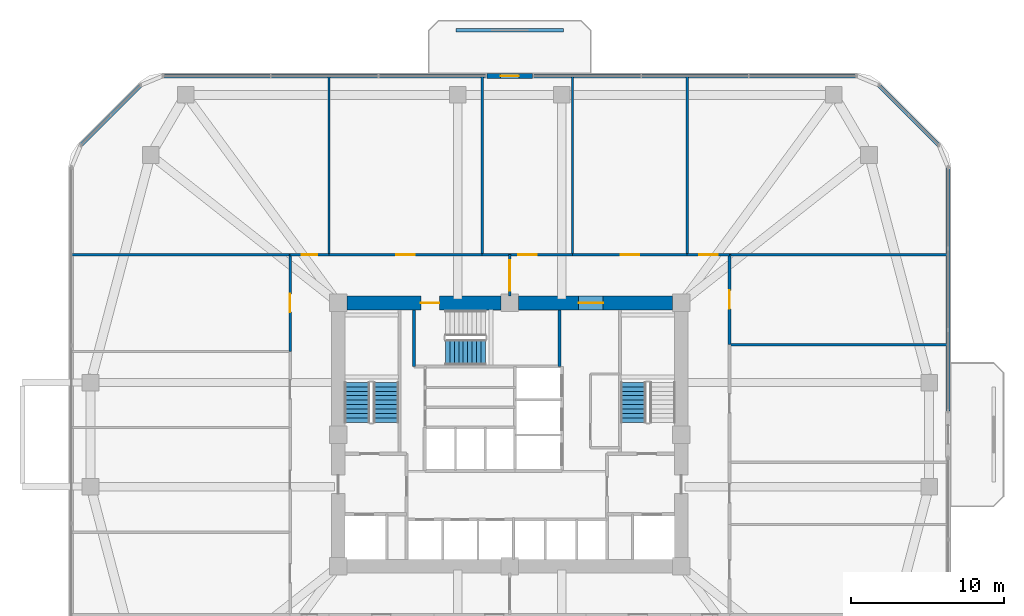
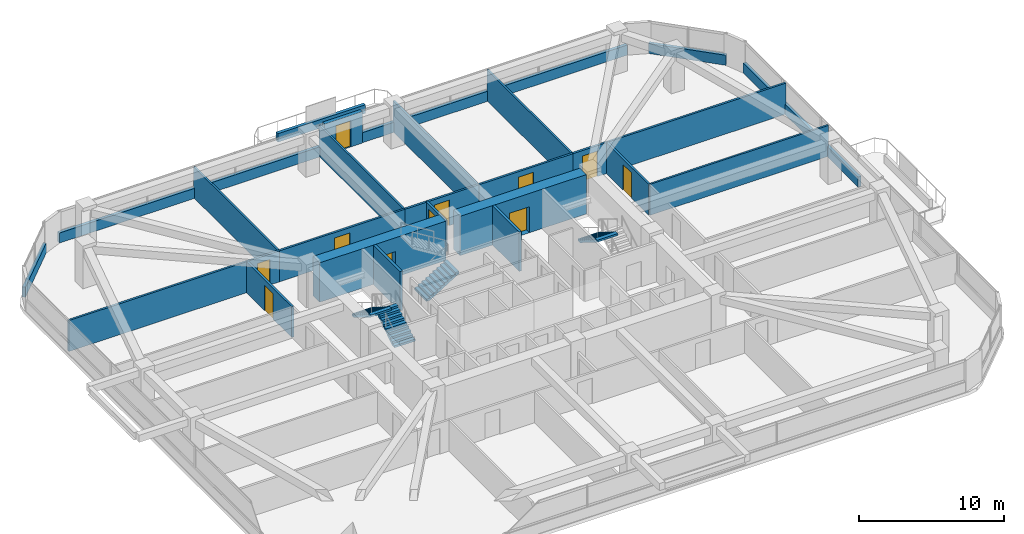
# One storey, part 11 of 14: 26 walls, 11 doors, 4 stair flights, 11 openings, 3 elements without a shape of their own.
"""IFC4 building model written with IfcOpenShell, lengths in metres."""

import ifcopenshell
import ifcopenshell.guid

model = None  # the IFC model being written
_history = None  # IfcOwnerHistory: only IFC2X3 demands one
_inside = {}  # id of a spatial element -> (the spatial element, [elements in it])
_under = {}  # id of a project, library or spatial element -> (it, [spatial elements below it])
_declared = {}  # id of a project -> (the project, [libraries it declares])
_typed = {}  # id of a type object -> (the type object, [elements of that type])
_made_of = {}  # id of a material, layer set ... -> (it, [elements and type objects made of it])


def new_model(schema):
    """Start an empty IFC model of exactly this schema.

    Asked for "IFC4X3", IfcOpenShell would pick the latest addendum, in which some entities
    have other attributes; the version numbers below select the first issue.
    IFC2X3 requires an IfcOwnerHistory on every rooted entity: one is made here for all.
    """
    global model, _history
    if schema == "IFC4X3":
        model = ifcopenshell.file(schema_version=(4, 3, 0, 0))
    else:
        model = ifcopenshell.file(schema=schema)
    _inside.clear()
    _under.clear()
    _declared.clear()
    _typed.clear()
    _made_of.clear()
    _history = None
    if model.schema == "IFC2X3":
        org = make("IfcOrganization", Name="unknown")
        user = make(
            "IfcPersonAndOrganization",
            ThePerson=make("IfcPerson", FamilyName="unknown"),
            TheOrganization=org,
        )
        app = make(
            "IfcApplication",
            ApplicationDeveloper=org,
            Version="unknown",
            ApplicationFullName="unknown",
            ApplicationIdentifier="unknown",
        )
        _history = make(
            "IfcOwnerHistory",
            OwningUser=user,
            OwningApplication=app,
            ChangeAction="ADDED",
            CreationDate=0,
        )
    return model


def make(cls, **values):
    """One entity of the class cls with the attributes given. An attribute that is None is left unset."""
    return model.create_entity(
        cls, **{name: value for name, value in values.items() if value is not None}
    )


def rooted(cls, **values):
    """An entity with a GlobalId (a new one), such as an element, a storey or a relation."""
    return make(cls, GlobalId=ifcopenshell.guid.new(), OwnerHistory=_history, **values)


def si_unit(unit_type, name, prefix=None):
    """IfcSIUnit, for example si_unit("LENGTHUNIT", "METRE", prefix="MILLI")."""
    return make("IfcSIUnit", UnitType=unit_type, Prefix=prefix, Name=name)


def derived_unit(unit_type, elements):
    """IfcDerivedUnit: a product of units, each with its exponent."""
    return make(
        "IfcDerivedUnit",
        Elements=[
            make("IfcDerivedUnitElement", Unit=unit, Exponent=power)
            for unit, power in elements
        ],
        UnitType=unit_type,
    )


def assignment(units):
    """IfcUnitAssignment: the units of a project."""
    return None if units is None else make("IfcUnitAssignment", Units=units)


def point(xyz):
    """IfcCartesianPoint."""
    return None if xyz is None else make("IfcCartesianPoint", Coordinates=xyz)


def direction(xyz):
    """IfcDirection."""
    return None if xyz is None else make("IfcDirection", DirectionRatios=xyz)


def frame(location, z_axis=None, x_axis=None):
    """IfcAxis2Placement3D, a coordinate frame: its origin and axes. An axis left out is left unset."""
    return make(
        "IfcAxis2Placement3D",
        Location=point(location),
        Axis=direction(z_axis),
        RefDirection=direction(x_axis),
    )


def frame_2d(location, x_axis=None):
    """IfcAxis2Placement2D, a coordinate frame in the plane: its origin and x axis."""
    return make(
        "IfcAxis2Placement2D", Location=point(location), RefDirection=direction(x_axis)
    )


def origin():
    """The frame at (0, 0, 0) with its axes left unset."""
    return frame((0.0, 0.0, 0.0))


def place(relative_to, where):
    """IfcLocalPlacement: puts the frame where relative to a parent placement (None: the world)."""
    return make(
        "IfcLocalPlacement", PlacementRelTo=relative_to, RelativePlacement=where
    )


def context(
    kind, dimensions, precision=None, world=None, true_north=None, identifier=None
):
    """IfcGeometricRepresentationContext, for example the 3D "Model" context."""
    return make(
        "IfcGeometricRepresentationContext",
        ContextIdentifier=identifier,
        ContextType=kind,
        CoordinateSpaceDimension=dimensions,
        Precision=precision,
        WorldCoordinateSystem=world,
        TrueNorth=true_north,
    )


def subcontext(parent, identifier, kind, view, scale=None):
    """IfcGeometricRepresentationSubContext, for example "Body" below "Model"."""
    return make(
        "IfcGeometricRepresentationSubContext",
        ContextIdentifier=identifier,
        ContextType=kind,
        ParentContext=parent,
        TargetScale=scale,
        TargetView=view,
    )


def project(units=None, contexts=None):
    """IfcProject with its units and contexts."""
    return rooted(
        "IfcProject",
        Name="project",
        RepresentationContexts=contexts,
        UnitsInContext=assignment(units),
    )


def spatial(cls, under=None, at=None, **own):
    """A site, building, storey or space (cls), placed at a placement, below another one or the project."""
    s = rooted(cls, ObjectPlacement=at, **own)
    if under is not None:
        _under.setdefault(under.id(), (under, []))[1].append(s)
    return s


def polyline(points):
    """IfcPolyline through the points."""
    return make("IfcPolyline", Points=[point(p) for p in points])


def profile(cls, at=None, kind="AREA", **sizes):
    """A parametric profile (cls). Its sizes go by their IFC names, for example OverallWidth=200.0."""
    return make(cls, ProfileType=kind, Position=at, **sizes)


def rectangle(**sizes):
    """IfcRectangleProfileDef."""
    return profile("IfcRectangleProfileDef", **sizes)


def outline(outer, holes=None, kind="AREA"):
    """IfcArbitraryClosedProfileDef: a profile drawn as a closed curve; with holes, ...WithVoids."""
    if holes is None:
        return make("IfcArbitraryClosedProfileDef", ProfileType=kind, OuterCurve=outer)
    return make(
        "IfcArbitraryProfileDefWithVoids",
        ProfileType=kind,
        OuterCurve=outer,
        InnerCurves=holes,
    )


def extrude(swept, where, along, depth):
    """IfcExtrudedAreaSolid: the profile swept, set in the frame where, extruded along a direction by depth."""
    return make(
        "IfcExtrudedAreaSolid",
        SweptArea=swept,
        Position=where,
        ExtrudedDirection=direction(along),
        Depth=depth,
    )


def shape(context_of_items, identifier, shape_type, items):
    """IfcShapeRepresentation: the items that make up one representation, for example the "Body"."""
    return make(
        "IfcShapeRepresentation",
        ContextOfItems=context_of_items,
        RepresentationIdentifier=identifier,
        RepresentationType=shape_type,
        Items=items,
    )


def material(Name=None, Category=None):
    """IfcMaterial."""
    return make("IfcMaterial", Name=Name, Category=Category)


def layer(
    of_material, thickness, ventilated=None, Name=None, Category=None, Priority=None
):
    """IfcMaterialLayer: one layer of a wall or slab, of a material (None: an air gap)."""
    return make(
        "IfcMaterialLayer",
        Material=of_material,
        LayerThickness=thickness,
        IsVentilated=ventilated,
        Name=Name,
        Category=Category,
        Priority=Priority,
    )


def layer_set(layers, Name=None):
    """IfcMaterialLayerSet."""
    return make("IfcMaterialLayerSet", MaterialLayers=layers, LayerSetName=Name)


def made_of(thing, what):
    """Note that an element or type object is made of a material, layer set ...; save() writes the relation."""
    if what is not None:
        _made_of.setdefault(what.id(), (what, []))[1].append(thing)
    return thing


def type_object(cls, material=None, **own):
    """A type object (cls), such as IfcWallType, which elements share."""
    return made_of(rooted(cls, **own), material)


def element(
    cls,
    number,
    at=None,
    inside=None,
    cuts=None,
    type_object=None,
    material=None,
    context=None,
    identifier="Body",
    shape_type=None,
    held_by="IfcProductDefinitionShape",
    body=None,
    shapes=None,
    **own,
):
    """One element of the class cls, such as IfcWall. Its Tag is "e" and its number.

    at: its placement. inside: the storey or other place that contains it. cuts: it is an
    opening in that element (IfcRelVoidsElement). A single representation is given by context,
    identifier, shape_type and body (its items); several are given by shapes. held_by: the class
    of the entity that holds the representations. save() writes the other relations.
    """
    e = rooted(cls, Tag="e%d" % number, ObjectPlacement=at, **own)
    if body is not None:
        shapes = [shape(context, identifier, shape_type, body)]
    if shapes is not None:
        e.Representation = make(held_by, Representations=shapes)
    if inside is not None:
        _inside.setdefault(inside.id(), (inside, []))[1].append(e)
    if cuts is not None:
        rooted(
            "IfcRelVoidsElement", RelatingBuildingElement=cuts, RelatedOpeningElement=e
        )
    if type_object is not None:
        _typed.setdefault(type_object.id(), (type_object, []))[1].append(e)
    return made_of(e, material)


def fill(opening, filler):
    """IfcRelFillsElement: the door or window that sits in an opening."""
    return rooted(
        "IfcRelFillsElement",
        RelatingOpeningElement=opening,
        RelatedBuildingElement=filler,
    )


def aggregate(whole, parts):
    """IfcRelAggregates: a whole, such as a stair, and the parts it consists of."""
    return rooted("IfcRelAggregates", RelatingObject=whole, RelatedObjects=parts)


def save(model, path):
    """Write the relations noted so far, then the file.

    IfcRelAggregates (storeys below a building ...), IfcRelContainedInSpatialStructure (elements
    in a storey), IfcRelDefinesByType, IfcRelAssociatesMaterial and IfcRelDeclares: one each for
    every whole, place, type object, material and project.
    """
    for whole, parts in _under.values():
        aggregate(whole, parts)
    for where, things in _inside.values():
        rooted(
            "IfcRelContainedInSpatialStructure",
            RelatedElements=things,
            RelatingStructure=where,
        )
    for kind, things in _typed.values():
        rooted("IfcRelDefinesByType", RelatedObjects=things, RelatingType=kind)
    for what, things in _made_of.values():
        rooted("IfcRelAssociatesMaterial", RelatedObjects=things, RelatingMaterial=what)
    for by, libraries in _declared.values():
        rooted("IfcRelDeclares", RelatingContext=by, RelatedDefinitions=libraries)
    model.write(path)


model = new_model("IFC4")

# Units and contexts
model_context = context("Model", 3, precision=1e-05, world=origin(), true_north=direction((0.0, 1.0)))
body_context = subcontext(model_context, "Body", "Model", "MODEL_VIEW")
ifc_project = project(units=[si_unit("LENGTHUNIT", "METRE"), si_unit("AREAUNIT", "SQUARE_METRE"), si_unit("VOLUMEUNIT", "CUBIC_METRE"), si_unit("PLANEANGLEUNIT", "RADIAN"), si_unit("MASSUNIT", "GRAM", prefix="KILO"), derived_unit("THERMALTRANSMITTANCEUNIT", [(si_unit("POWERUNIT", "WATT"), 1), (si_unit("LENGTHUNIT", "METRE"), -2), (si_unit("THERMODYNAMICTEMPERATUREUNIT", "KELVIN"), -1)])], contexts=[model_context])

# Site, building, storey
site_placement = place(None, origin())
site = spatial("IfcSite", under=ifc_project, at=site_placement, CompositionType="ELEMENT")
building_placement = place(site_placement, origin())
building = spatial("IfcBuilding", under=site, at=building_placement, Name="Koralith Skygarden Medical Center", CompositionType="ELEMENT")
storey_placement = place(building_placement, frame((0.0, 0.0, 45.5400390625)))
storey = spatial("IfcBuildingStorey", under=building, at=storey_placement, Name="L11", CompositionType="ELEMENT", Elevation=45.5400390625)

# Walls
ifc_material_1 = material(Name="Gypsum Board Partition")
ifc_layer_1 = layer(ifc_material_1, 0.14990234375)
ifc_layer_set_1 = layer_set([ifc_layer_1], Name="Gypsum Board Partition")
wall_type_1 = type_object("IfcWallType", Name="Clinical Acoustic Partition 150", PredefinedType="PARTITIONING", material=ifc_layer_set_1)
for number, where, z_axis, x_axis, name in (
    (1, (25.199951171875, 37.64990234375, 0.0), (0.0, 0.0, 1.0), (0.0, 1.0, 0.0), "L11 Clinical Acoustic Partition 150 W-PART-L11-N-01"),
    (2, (35.199951171875, 37.64990234375, 0.0), (0.0, 0.0, 1.0), (0.0, 1.0, 0.0), "L11 Clinical Acoustic Partition 150 W-PART-L11-N-02"),
    (3, (41.09912109375, 37.64990234375, 0.0), (0.0, 0.0, 1.0), (0.0, 1.0, 0.0), "L11 Clinical Acoustic Partition 150 W-PART-L11-N-03"),
    (4, (48.583984375, 37.64990234375, 0.0), (0.0, 0.0, 1.0), (0.0, 1.0, 0.0), "L11 Clinical Acoustic Partition 150 W-PART-L11-N-04"),
):
    element("IfcWall", number, at=place(storey_placement, frame(where, z_axis=z_axis, x_axis=x_axis)), inside=storey, type_object=wall_type_1, Name=name, PredefinedType="PARTITIONING", context=body_context, shape_type="SweptSolid", body=[
        extrude(rectangle(XDim=11.650146484375, YDim=0.14990234375, at=frame_2d((5.8251953125, 0.0))), origin(), (0.0, 0.0, 1.0), 2.60986328125),
    ])
wall_1_placement = place(storey_placement, frame((51.35009765625, 31.77490234375, 0.0), z_axis=(0.0, 0.0, 1.0), x_axis=(1.0, 0.0, 0.0)))
element("IfcWall", 5, at=wall_1_placement, inside=storey, type_object=wall_type_1, Name="L11 Clinical Acoustic Partition 150 W-PART-L11-E-03", PredefinedType="PARTITIONING", context=body_context, shape_type="SweptSolid", body=[
    extrude(rectangle(XDim=14.25, YDim=0.14990234375, at=frame_2d((7.125, 0.0))), origin(), (0.0, 0.0, 1.0), 2.60986328125),
])
ifc_layer_2 = layer(ifc_material_1, 0.1650390625)
ifc_layer_set_2 = layer_set([ifc_layer_2], Name="Gypsum Board Partition")
wall_type_2 = type_object("IfcWallType", Name="Clinical Corridor Partition 165", PredefinedType="PARTITIONING", material=ifc_layer_set_2)
for number, where, z_axis, x_axis, name in (
    (6, (8.39990234375, 37.64990234375, 0.0), (0.0, 0.0, 1.0), (1.0, 0.0, 0.0), "L11 Clinical Corridor Partition 165 W-WB-L11-NW"),
    (7, (51.35009765625, 37.64990234375, 0.0), (0.0, 0.0, 1.0), (1.0, 0.0, 0.0), "L11 Clinical Corridor Partition 165 W-WB-L11-NE"),
):
    element("IfcWall", number, at=place(storey_placement, frame(where, z_axis=z_axis, x_axis=x_axis)), inside=storey, type_object=wall_type_2, Name=name, PredefinedType="PARTITIONING", context=body_context, shape_type="SweptSolid", body=[
        extrude(rectangle(XDim=14.25, YDim=0.1650390625, at=frame_2d((7.125, 0.0))), origin(), (0.0, 0.0, 1.0), 2.60986328125),
    ])

# Wall, opening, door
wall_2_placement = place(storey_placement, frame((22.64990234375, 37.64990234375, 0.0), z_axis=(0.0, 0.0, 1.0), x_axis=(1.0, 0.0, 0.0)))
wall_2 = element("IfcWall", 8, at=wall_2_placement, inside=storey, type_object=wall_type_2, Name="L11 Clinical Corridor Partition 165 W-CORR-L11-N-01", PredefinedType="PARTITIONING", context=body_context, shape_type="SweptSolid", body=[
    extrude(rectangle(XDim=2.550048828125, YDim=0.1650390625, at=frame_2d((1.27490234375, 0.0))), origin(), (0.0, 0.0, 1.0), 2.60986328125),
])
opening_1_placement = place(wall_2_placement, frame((0.77490234375, 0.0, 0.0)))
opening_1 = element("IfcOpeningElement", 9, at=opening_1_placement, cuts=wall_2, Name="Opening D-SUP", PredefinedType="OPENING", context=body_context, shape_type="SweptSolid", body=[
    extrude(rectangle(XDim=1.0, YDim=2.14990234375, at=frame_2d((0.5, 1.074951171875))), frame((0.0, 0.092529296875, 0.0), z_axis=(0.0, -1.0, 0.0), x_axis=(1.0, 0.0, 0.0)), (0.0, 0.0, 1.0), 0.18505859375),
])
ifc_material_2 = material(Name="Aluminium 6063-T6", Category="aluminium")
door_type_1 = type_object("IfcDoorType", Name="Clinical Support Door D-SUP 1000", OperationType="NOTDEFINED", PredefinedType="DOOR", material=ifc_material_2)
door_1_placement = place(opening_1_placement, origin())
door_1 = element("IfcDoor", 10, at=door_1_placement, inside=storey, type_object=door_type_1, Name="L11 Family Waiting Sitting Lounge 01 Door", OperationType="SINGLE_SWING_RIGHT", OverallHeight=2.14990234375, OverallWidth=1.0, PredefinedType="DOOR", context=body_context, shape_type="SweptSolid", body=[
    extrude(rectangle(XDim=1.0, YDim=2.14990234375, at=frame_2d((0.5, 1.074951171875))), frame((0.0, 0.02490234375, 0.0), z_axis=(0.0, -1.0, 0.0), x_axis=(1.0, 0.0, 0.0)), (0.0, 0.0, 1.0), 0.050048828125),
])
fill(opening_1, door_1)

wall_3_placement = place(storey_placement, frame((25.199951171875, 37.64990234375, 0.0), z_axis=(0.0, 0.0, 1.0), x_axis=(1.0, 0.0, 0.0)))
wall_3 = element("IfcWall", 11, at=wall_3_placement, inside=storey, type_object=wall_type_2, Name="L11 Clinical Corridor Partition 165 W-CORR-L11-N-02", PredefinedType="PARTITIONING", context=body_context, shape_type="SweptSolid", body=[
    extrude(rectangle(XDim=10.0, YDim=0.1650390625, at=frame_2d((5.0, 0.0))), origin(), (0.0, 0.0, 1.0), 2.60986328125),
])
opening_2_placement = place(wall_3_placement, frame((4.39990234375, 0.0, 0.0)))
opening_2 = element("IfcOpeningElement", 12, at=opening_2_placement, cuts=wall_3, Name="Opening D-CLN", PredefinedType="OPENING", context=body_context, shape_type="SweptSolid", body=[
    extrude(rectangle(XDim=1.199951171875, YDim=2.14990234375, at=frame_2d((0.60009765625, 1.074951171875))), frame((0.0, 0.092529296875, 0.0), z_axis=(0.0, -1.0, 0.0), x_axis=(1.0, 0.0, 0.0)), (0.0, 0.0, 1.0), 0.18505859375),
])
door_type_2 = type_object("IfcDoorType", Name="Clinical Corridor Door D-CLN 1200", OperationType="NOTDEFINED", PredefinedType="DOOR", material=ifc_material_2)
door_2_placement = place(opening_2_placement, origin())
door_2 = element("IfcDoor", 13, at=door_2_placement, inside=storey, type_object=door_type_2, Name="L11 Outpatient Triage Exam Room 02 Door", OperationType="SINGLE_SWING_LEFT", OverallHeight=2.14990234375, OverallWidth=1.199951171875, PredefinedType="DOOR", context=body_context, shape_type="SweptSolid", body=[
    extrude(rectangle(XDim=1.199951171875, YDim=2.14990234375, at=frame_2d((0.60009765625, 1.074951171875))), frame((0.0, 0.02490234375, 0.0), z_axis=(0.0, -1.0, 0.0), x_axis=(1.0, 0.0, 0.0)), (0.0, 0.0, 1.0), 0.050048828125),
])
fill(opening_2, door_2)

wall_4_placement = place(storey_placement, frame((35.199951171875, 37.64990234375, 0.0), z_axis=(0.0, 0.0, 1.0), x_axis=(1.0, 0.0, 0.0)))
wall_4 = element("IfcWall", 14, at=wall_4_placement, inside=storey, type_object=wall_type_2, Name="L11 Clinical Corridor Partition 165 W-CORR-L11-N-03", PredefinedType="PARTITIONING", context=body_context, shape_type="SweptSolid", body=[
    extrude(rectangle(XDim=5.899169921875, YDim=0.1650390625, at=frame_2d((2.94970703125, 0.0))), origin(), (0.0, 0.0, 1.0), 2.60986328125),
])
opening_3_placement = place(wall_4_placement, frame((2.34912109375, 0.0, 0.0)))
opening_3 = element("IfcOpeningElement", 15, at=opening_3_placement, cuts=wall_4, Name="Opening D-CLN", PredefinedType="OPENING", context=body_context, shape_type="SweptSolid", body=[
    extrude(rectangle(XDim=1.199951171875, YDim=2.14990234375, at=frame_2d((0.60009765625, 1.074951171875))), frame((0.0, 0.092529296875, 0.0), z_axis=(0.0, -1.0, 0.0), x_axis=(1.0, 0.0, 0.0)), (0.0, 0.0, 1.0), 0.18505859375),
])
door_3_placement = place(opening_3_placement, origin())
door_3 = element("IfcDoor", 16, at=door_3_placement, inside=storey, type_object=door_type_2, Name="L11 Patient and Family Sky-Garden Day Lounge 03 Door", OperationType="SINGLE_SWING_RIGHT", OverallHeight=2.14990234375, OverallWidth=1.199951171875, PredefinedType="DOOR", context=body_context, shape_type="SweptSolid", body=[
    extrude(rectangle(XDim=1.199951171875, YDim=2.14990234375, at=frame_2d((0.60009765625, 1.074951171875))), frame((0.0, 0.02490234375, 0.0), z_axis=(0.0, -1.0, 0.0), x_axis=(1.0, 0.0, 0.0)), (0.0, 0.0, 1.0), 0.050048828125),
])
fill(opening_3, door_3)

wall_5_placement = place(storey_placement, frame((41.09912109375, 37.64990234375, 0.0), z_axis=(0.0, 0.0, 1.0), x_axis=(1.0, 0.0, 0.0)))
wall_5 = element("IfcWall", 17, at=wall_5_placement, inside=storey, type_object=wall_type_2, Name="L11 Clinical Corridor Partition 165 W-CORR-L11-N-04", PredefinedType="PARTITIONING", context=body_context, shape_type="SweptSolid", body=[
    extrude(rectangle(XDim=7.48486328125, YDim=0.1650390625, at=frame_2d((3.742431640625, 0.0))), origin(), (0.0, 0.0, 1.0), 2.60986328125),
])
opening_4_placement = place(wall_5_placement, frame((3.14306640625, 0.0, 0.0)))
opening_4 = element("IfcOpeningElement", 18, at=opening_4_placement, cuts=wall_5, Name="Opening D-CLN", PredefinedType="OPENING", context=body_context, shape_type="SweptSolid", body=[
    extrude(rectangle(XDim=1.199951171875, YDim=2.14990234375, at=frame_2d((0.60009765625, 1.074951171875))), frame((0.0, 0.092529296875, 0.0), z_axis=(0.0, -1.0, 0.0), x_axis=(1.0, 0.0, 0.0)), (0.0, 0.0, 1.0), 0.18505859375),
])
door_4_placement = place(opening_4_placement, origin())
door_4 = element("IfcDoor", 19, at=door_4_placement, inside=storey, type_object=door_type_2, Name="L11 Clean Linen Supply Store 04 Door", OperationType="SINGLE_SWING_LEFT", OverallHeight=2.14990234375, OverallWidth=1.199951171875, PredefinedType="DOOR", context=body_context, shape_type="SweptSolid", body=[
    extrude(rectangle(XDim=1.199951171875, YDim=2.14990234375, at=frame_2d((0.60009765625, 1.074951171875))), frame((0.0, 0.02490234375, 0.0), z_axis=(0.0, -1.0, 0.0), x_axis=(1.0, 0.0, 0.0)), (0.0, 0.0, 1.0), 0.050048828125),
])
fill(opening_4, door_4)

wall_6_placement = place(storey_placement, frame((48.583984375, 37.64990234375, 0.0), z_axis=(0.0, 0.0, 1.0), x_axis=(1.0, 0.0, 0.0)))
wall_6 = element("IfcWall", 20, at=wall_6_placement, inside=storey, type_object=wall_type_2, Name="L11 Clinical Corridor Partition 165 W-CORR-L11-N-05", PredefinedType="PARTITIONING", context=body_context, shape_type="SweptSolid", body=[
    extrude(rectangle(XDim=2.76611328125, YDim=0.1650390625, at=frame_2d((1.383056640625, 0.0))), origin(), (0.0, 0.0, 1.0), 2.60986328125),
])
opening_5_placement = place(wall_6_placement, frame((0.782958984375, 0.0, 0.0)))
opening_5 = element("IfcOpeningElement", 21, at=opening_5_placement, cuts=wall_6, Name="Opening D-CLN", PredefinedType="OPENING", context=body_context, shape_type="SweptSolid", body=[
    extrude(rectangle(XDim=1.199951171875, YDim=2.14990234375, at=frame_2d((0.60009765625, 1.074951171875))), frame((0.0, 0.092529296875, 0.0), z_axis=(0.0, -1.0, 0.0), x_axis=(1.0, 0.0, 0.0)), (0.0, 0.0, 1.0), 0.18505859375),
])
door_5_placement = place(opening_5_placement, origin())
door_5 = element("IfcDoor", 22, at=door_5_placement, inside=storey, type_object=door_type_2, Name="L11 Clinical Consultation Office 05 Door", OperationType="SINGLE_SWING_RIGHT", OverallHeight=2.14990234375, OverallWidth=1.199951171875, PredefinedType="DOOR", context=body_context, shape_type="SweptSolid", body=[
    extrude(rectangle(XDim=1.199951171875, YDim=2.14990234375, at=frame_2d((0.60009765625, 1.074951171875))), frame((0.0, 0.02490234375, 0.0), z_axis=(0.0, -1.0, 0.0), x_axis=(1.0, 0.0, 0.0)), (0.0, 0.0, 1.0), 0.050048828125),
])
fill(opening_5, door_5)

wall_7_placement = place(storey_placement, frame((22.64990234375, 31.3330078125, 0.0), z_axis=(0.0, 0.0, 1.0), x_axis=(0.0, 1.0, 0.0)))
wall_7 = element("IfcWall", 23, at=wall_7_placement, inside=storey, type_object=wall_type_2, Name="L11 Clinical Corridor Partition 165 W-CORR-L11-W-04", PredefinedType="PARTITIONING", context=body_context, shape_type="SweptSolid", body=[
    extrude(rectangle(XDim=6.31689453125, YDim=0.1650390625, at=frame_2d((3.158447265625, 0.0))), origin(), (0.0, 0.0, 1.0), 2.60986328125),
])
opening_6_placement = place(wall_7_placement, frame((2.55810546875, 0.0, 0.0)))
opening_6 = element("IfcOpeningElement", 24, at=opening_6_placement, cuts=wall_7, Name="Opening D-CLN", PredefinedType="OPENING", context=body_context, shape_type="SweptSolid", body=[
    extrude(rectangle(XDim=1.199951171875, YDim=2.14990234375, at=frame_2d((0.60009765625, 1.074951171875))), frame((0.0, 0.092529296875, 0.0), z_axis=(0.0, -1.0, 0.0), x_axis=(1.0, 0.0, 0.0)), (0.0, 0.0, 1.0), 0.18505859375),
])
door_6_placement = place(opening_6_placement, frame((1.199951171875, 0.0, 0.0), z_axis=(0.0, 0.0, 1.0), x_axis=(-1.0, 0.0, 0.0)))
door_6 = element("IfcDoor", 25, at=door_6_placement, inside=storey, type_object=door_type_2, Name="L11 Family Waiting Sitting Lounge 14 Door", OperationType="SINGLE_SWING_LEFT", OverallHeight=2.14990234375, OverallWidth=1.199951171875, PredefinedType="DOOR", context=body_context, shape_type="SweptSolid", body=[
    extrude(rectangle(XDim=1.199951171875, YDim=2.14990234375, at=frame_2d((0.60009765625, 1.074951171875))), frame((0.0, 0.02490234375, 0.0), z_axis=(0.0, -1.0, 0.0), x_axis=(1.0, 0.0, 0.0)), (0.0, 0.0, 1.0), 0.050048828125),
])
fill(opening_6, door_6)

wall_8_placement = place(storey_placement, frame((51.35009765625, 31.77490234375, 0.0), z_axis=(0.0, 0.0, 1.0), x_axis=(0.0, 1.0, 0.0)))
wall_8 = element("IfcWall", 26, at=wall_8_placement, inside=storey, type_object=wall_type_2, Name="L11 Clinical Corridor Partition 165 W-CORR-L11-E-04", PredefinedType="PARTITIONING", context=body_context, shape_type="SweptSolid", body=[
    extrude(rectangle(XDim=5.875, YDim=0.1650390625, at=frame_2d((2.9375, 0.0))), origin(), (0.0, 0.0, 1.0), 2.60986328125),
])
opening_7_placement = place(wall_8_placement, frame((2.3369140625, 0.0, 0.0)))
opening_7 = element("IfcOpeningElement", 27, at=opening_7_placement, cuts=wall_8, Name="Opening D-CLN", PredefinedType="OPENING", context=body_context, shape_type="SweptSolid", body=[
    extrude(rectangle(XDim=1.199951171875, YDim=2.14990234375, at=frame_2d((0.60009765625, 1.074951171875))), frame((0.0, 0.092529296875, 0.0), z_axis=(0.0, -1.0, 0.0), x_axis=(1.0, 0.0, 0.0)), (0.0, 0.0, 1.0), 0.18505859375),
])
door_7_placement = place(opening_7_placement, origin())
door_7 = element("IfcDoor", 28, at=door_7_placement, inside=storey, type_object=door_type_2, Name="L11 Clinical Consultation Office 18 Door", OperationType="SINGLE_SWING_LEFT", OverallHeight=2.14990234375, OverallWidth=1.199951171875, PredefinedType="DOOR", context=body_context, shape_type="SweptSolid", body=[
    extrude(rectangle(XDim=1.199951171875, YDim=2.14990234375, at=frame_2d((0.60009765625, 1.074951171875))), frame((0.0, 0.02490234375, 0.0), z_axis=(0.0, -1.0, 0.0), x_axis=(1.0, 0.0, 0.0)), (0.0, 0.0, 1.0), 0.050048828125),
])
fill(opening_7, door_7)

ifc_layer_3 = layer(ifc_material_1, 0.179931640625)
ifc_layer_set_3 = layer_set([ifc_layer_3], Name="Gypsum Board Partition")
wall_type_3 = type_object("IfcWallType", Name="Group I-2 Smoke Barrier Wall 180", PredefinedType="PARTITIONING", material=ifc_layer_set_3)
wall_9_placement = place(storey_placement, frame((37.0, 34.949951171875, 0.0), z_axis=(0.0, 0.0, 1.0), x_axis=(0.0, 1.0, 0.0)))
wall_9 = element("IfcWall", 29, at=wall_9_placement, inside=storey, type_object=wall_type_3, Name="L11 Group I-2 Smoke Barrier Wall 180 W-SMK-L11-N", PredefinedType="PARTITIONING", context=body_context, shape_type="SweptSolid", body=[
    extrude(rectangle(XDim=2.699951171875, YDim=0.179931640625, at=frame_2d((1.35009765625, 0.0))), origin(), (0.0, 0.0, 1.0), 2.60986328125),
])
opening_8_placement = place(wall_9_placement, frame((0.35009765625, 0.0, 0.0)))
opening_8 = element("IfcOpeningElement", 30, at=opening_8_placement, cuts=wall_9, Name="Opening D-SMK", PredefinedType="OPENING", context=body_context, shape_type="SweptSolid", body=[
    extrude(rectangle(XDim=2.0, YDim=2.199951171875, at=frame_2d((1.0, 1.10009765625))), frame((0.0, 0.099853515625, 0.0), z_axis=(0.0, -1.0, 0.0), x_axis=(1.0, 0.0, 0.0)), (0.0, 0.0, 1.0), 0.199951171875),
])
ifc_material_3 = material(Name="Steel ASTM A500 Grade C", Category="steel")
door_type_3 = type_object("IfcDoorType", Name="Cross-Corridor Double Smoke Door FD60S 2000", OperationType="NOTDEFINED", PredefinedType="DOOR", material=ifc_material_3)
door_8_placement = place(opening_8_placement, origin())
door_8 = element("IfcDoor", 31, at=door_8_placement, inside=storey, type_object=door_type_3, Name="L11 N Smoke Compartment Cross-Corridor Door", OperationType="DOUBLE_DOOR_SINGLE_SWING", OverallHeight=2.199951171875, OverallWidth=2.0, PredefinedType="DOOR", context=body_context, shape_type="SweptSolid", body=[
    extrude(rectangle(XDim=2.0, YDim=2.199951171875, at=frame_2d((1.0, 1.10009765625))), frame((0.0, 0.02490234375, 0.0), z_axis=(0.0, -1.0, 0.0), x_axis=(1.0, 0.0, 0.0)), (0.0, 0.0, 1.0), 0.050048828125),
])
fill(opening_8, door_8)

# Walls
ifc_material_4 = material(Name="Warm Oolitic Limestone Cladding", Category="masonry")
ifc_layer_4 = layer(ifc_material_4, 0.239990234375)
ifc_layer_set_4 = layer_set([ifc_layer_4], Name="Warm Oolitic Limestone Cladding")
wall_type_4 = type_object("IfcWallType", Name="Limestone Spandrel Sill Backup Wall 240", PredefinedType="SOLIDWALL", material=ifc_layer_set_4)
wall_10_placement = place(storey_placement, frame((65.6201171875, 27.43994140625, 0.0), z_axis=(0.0, 0.0, 1.0), x_axis=(0.0, 1.0, 0.0)))
element("IfcWall", 32, at=wall_10_placement, inside=storey, type_object=wall_type_4, Name="L11 Sill Spandrel E-R", PredefinedType="SOLIDWALL", context=body_context, shape_type="SweptSolid", body=[
    extrude(rectangle(XDim=15.905029296875, YDim=0.239990234375, at=frame_2d((7.95263671875, 0.0))), origin(), (0.0, 0.0, 1.0), 0.849853515625),
])
wall_11_placement = place(storey_placement, frame((65.01904296875, 44.7958984375, 0.0), z_axis=(0.0, 0.0, 1.0), x_axis=(-0.707106781187, 0.707106781187, 0.0)))
element("IfcWall", 33, at=wall_11_placement, inside=storey, type_object=wall_type_4, Name="L11 Sill Spandrel NE", PredefinedType="SOLIDWALL", context=body_context, shape_type="SweptSolid", body=[
    extrude(rectangle(XDim=5.548095703125, YDim=0.239990234375, at=frame_2d((2.77392578125, 0.0))), origin(), (0.0, 0.0, 1.0), 0.849853515625),
])
for number, where, z_axis, x_axis, name in (
    (34, (59.64501953125, 49.320068359375, 0.0), (0.0, 0.0, 1.0), (-1.0, 0.0, 0.0), "L11 Sill Spandrel N-L"),
    (35, (35.4599609375, 49.320068359375, 0.0), (0.0, 0.0, 1.0), (-1.0, 0.0, 0.0), "L11 Sill Spandrel N-R"),
):
    element("IfcWall", number, at=place(storey_placement, frame(where, z_axis=z_axis, x_axis=x_axis)), inside=storey, type_object=wall_type_4, Name=name, PredefinedType="SOLIDWALL", context=body_context, shape_type="SweptSolid", body=[
        extrude(rectangle(XDim=21.10498046875, YDim=0.239990234375, at=frame_2d((10.552490234375, 0.0))), origin(), (0.0, 0.0, 1.0), 0.849853515625),
    ])
wall_12_placement = place(storey_placement, frame((12.904052734375, 48.718994140625, 0.0), z_axis=(0.0, 0.0, 1.0), x_axis=(-0.707106781187, -0.707106781187, 0.0)))
element("IfcWall", 36, at=wall_12_placement, inside=storey, type_object=wall_type_4, Name="L11 Sill Spandrel NW", PredefinedType="SOLIDWALL", context=body_context, shape_type="SweptSolid", body=[
    extrude(rectangle(XDim=5.548095703125, YDim=0.239990234375, at=frame_2d((2.77392578125, 0.0))), origin(), (0.0, 0.0, 1.0), 0.849853515625),
])

# Wall, opening, door
ifc_material_5 = material(Name="Concrete C70/85", Category="concrete")
ifc_layer_5 = layer(ifc_material_5, 0.89990234375)
ifc_layer_set_5 = layer_set([ifc_layer_5], Name="Concrete C70/85")
wall_type_5 = type_object("IfcWallType", Name="Lower Core Shear Wall 900", PredefinedType="SHEAR", material=ifc_layer_set_5)
wall_13_placement = place(storey_placement, frame((47.635009765625, 34.5, 0.0), z_axis=(0.0, 0.0, 1.0), x_axis=(-1.0, 0.0, 0.0)))
wall_13 = element("IfcWall", 37, at=wall_13_placement, inside=storey, type_object=wall_type_5, Name="L11 Core Shear Wall Segment 5", PredefinedType="SHEAR", context=body_context, shape_type="SweptSolid", body=[
    extrude(rectangle(XDim=10.070068359375, YDim=0.89990234375, at=frame_2d((5.03515625, 0.0))), origin(), (0.0, 0.0, 1.0), 3.320068359375),
])
opening_9_placement = place(wall_13_placement, frame((4.534912109375, 0.0, 0.0)))
opening_9 = element("IfcOpeningElement", 38, at=opening_9_placement, cuts=wall_13, Name="Opening D-DBL", PredefinedType="OPENING", context=body_context, shape_type="SweptSolid", body=[
    extrude(rectangle(XDim=1.60009765625, YDim=2.199951171875, at=frame_2d((0.800048828125, 1.10009765625))), frame((0.0, 0.4599609375, 0.0), z_axis=(0.0, -1.0, 0.0), x_axis=(1.0, 0.0, 0.0)), (0.0, 0.0, 1.0), 0.919921875),
])
door_type_4 = type_object("IfcDoorType", Name="Double Clinical Suite Door D-DBL 1600", OperationType="NOTDEFINED", PredefinedType="DOOR", material=ifc_material_2)
door_9_placement = place(opening_9_placement, frame((1.60009765625, 0.0, 0.0), z_axis=(0.0, 0.0, 1.0), x_axis=(-1.0, 0.0, 0.0)))
door_9 = element("IfcDoor", 39, at=door_9_placement, inside=storey, type_object=door_type_4, Name="L11 North-East Corridor to Elevator Lobby Door", OperationType="DOUBLE_DOOR_SINGLE_SWING", OverallHeight=2.199951171875, OverallWidth=1.60009765625, PredefinedType="DOOR", context=body_context, shape_type="SweptSolid", body=[
    extrude(rectangle(XDim=1.60009765625, YDim=2.199951171875, at=frame_2d((0.800048828125, 1.10009765625))), frame((0.0, 0.02490234375, 0.0), z_axis=(0.0, -1.0, 0.0), x_axis=(1.0, 0.0, 0.0)), (0.0, 0.0, 1.0), 0.050048828125),
])
fill(opening_9, door_9)

wall_14_placement = place(storey_placement, frame((36.43505859375, 34.5, 0.0), z_axis=(0.0, 0.0, 1.0), x_axis=(-1.0, 0.0, 0.0)))
wall_14 = element("IfcWall", 40, at=wall_14_placement, inside=storey, type_object=wall_type_5, Name="L11 Core Shear Wall Segment 6", PredefinedType="SHEAR", context=body_context, shape_type="SweptSolid", body=[
    extrude(rectangle(XDim=10.070068359375, YDim=0.89990234375, at=frame_2d((5.03515625, 0.0))), origin(), (0.0, 0.0, 1.0), 3.320068359375),
])
opening_10_placement = place(wall_14_placement, frame((4.034912109375, 0.0, 0.0)))
opening_10 = element("IfcOpeningElement", 41, at=opening_10_placement, cuts=wall_14, Name="Opening D-ST60", PredefinedType="OPENING", context=body_context, shape_type="SweptSolid", body=[
    extrude(rectangle(XDim=1.199951171875, YDim=2.14990234375, at=frame_2d((0.60009765625, 1.074951171875))), frame((0.0, 0.4599609375, 0.0), z_axis=(0.0, -1.0, 0.0), x_axis=(1.0, 0.0, 0.0)), (0.0, 0.0, 1.0), 0.919921875),
])
door_type_5 = type_object("IfcDoorType", Name="Smokeproof Stair Fire Door FD60S 1200", OperationType="NOTDEFINED", PredefinedType="DOOR", material=ifc_material_3)
door_10_placement = place(opening_10_placement, frame((1.199951171875, 0.0, 0.0), z_axis=(0.0, 0.0, 1.0), x_axis=(-1.0, 0.0, 0.0)))
door_10 = element("IfcDoor", 42, at=door_10_placement, inside=storey, type_object=door_type_5, Name="L11 Exit Stair ST3 Fire Door", OperationType="SINGLE_SWING_LEFT", OverallHeight=2.14990234375, OverallWidth=1.199951171875, PredefinedType="DOOR", context=body_context, shape_type="SweptSolid", body=[
    extrude(rectangle(XDim=1.199951171875, YDim=2.14990234375, at=frame_2d((0.60009765625, 1.074951171875))), frame((0.0, 0.02490234375, 0.0), z_axis=(0.0, -1.0, 0.0), x_axis=(1.0, 0.0, 0.0)), (0.0, 0.0, 1.0), 0.050048828125),
])
fill(opening_10, door_10)

ifc_layer_6 = layer(ifc_material_4, 0.300048828125)
ifc_layer_set_6 = layer_set([ifc_layer_6], Name="Warm Oolitic Limestone Cladding")
wall_type_6 = type_object("IfcWallType", Name="Oolitic Limestone Insulated Facade Wall 300", PredefinedType="SOLIDWALL", material=ifc_layer_set_6)
wall_15_placement = place(storey_placement, frame((38.5, 49.320068359375, 0.0), z_axis=(0.0, 0.0, 1.0), x_axis=(-1.0, 0.0, 0.0)))
wall_15 = element("IfcWall", 43, at=wall_15_placement, inside=storey, type_object=wall_type_6, Name="L11 Terrace Portal Wall N", PredefinedType="SOLIDWALL", context=body_context, shape_type="SweptSolid", body=[
    extrude(rectangle(XDim=3.0, YDim=0.300048828125, at=frame_2d((1.5, 0.0))), origin(), (0.0, 0.0, 1.0), 2.64990234375),
])
opening_11_placement = place(wall_15_placement, frame((0.89990234375, 0.0, 0.0)))
opening_11 = element("IfcOpeningElement", 44, at=opening_11_placement, cuts=wall_15, Name="Opening D-BAL", PredefinedType="OPENING", context=body_context, shape_type="SweptSolid", body=[
    extrude(rectangle(XDim=1.199951171875, YDim=2.199951171875, at=frame_2d((0.60009765625, 1.10009765625))), frame((0.0, 0.159912109375, 0.0), z_axis=(0.0, -1.0, 0.0), x_axis=(1.0, 0.0, 0.0)), (0.0, 0.0, 1.0), 0.320068359375),
])
door_type_6 = type_object("IfcDoorType", Name="Planted Balcony Glazed Terrace Door D-BAL 1200", OperationType="NOTDEFINED", PredefinedType="DOOR", material=ifc_material_2)
door_11_placement = place(opening_11_placement, origin())
door_11 = element("IfcDoor", 45, at=door_11_placement, inside=storey, type_object=door_type_6, Name="L11 N Outdoor Terrace Access Door", OperationType="SINGLE_SWING_RIGHT", OverallHeight=2.199951171875, OverallWidth=1.199951171875, PredefinedType="DOOR", context=body_context, shape_type="SweptSolid", body=[
    extrude(rectangle(XDim=1.199951171875, YDim=2.199951171875, at=frame_2d((0.60009765625, 1.10009765625))), frame((0.0, 0.02490234375, 0.0), z_axis=(0.0, -1.0, 0.0), x_axis=(1.0, 0.0, 0.0)), (0.0, 0.0, 1.0), 0.050048828125),
])
fill(opening_11, door_11)

# Walls
ifc_material_6 = material(Name="Precast concrete C40/50", Category="concrete")
ifc_layer_7 = layer(ifc_material_6, 0.25)
ifc_layer_set_7 = layer_set([ifc_layer_7], Name="Precast concrete C40/50")
wall_type_7 = type_object("IfcWallType", Name="Structural Concrete Balcony Planter Kerb 250", PredefinedType="PARAPET", material=ifc_layer_set_7)
wall_16_placement = place(storey_placement, frame((33.5, 52.300048828125, 0.0), z_axis=(0.0, 0.0, 1.0), x_axis=(1.0, 0.0, 0.0)))
element("IfcWall", 46, at=wall_16_placement, inside=storey, type_object=wall_type_7, Name="L11 N Structural Tree PLANTER Box", PredefinedType="PARAPET", context=body_context, shape_type="SweptSolid", body=[
    extrude(rectangle(XDim=7.0, YDim=0.25, at=frame_2d((3.5, 0.0))), origin(), (0.0, 0.0, 1.0), 0.719970703125),
])
ifc_material_7 = material(Name="Concrete C45/55", Category="concrete")
ifc_layer_8 = layer(ifc_material_7, 0.199951171875)
ifc_layer_set_8 = layer_set([ifc_layer_8], Name="Concrete C45/55")
wall_type_8 = type_object("IfcWallType", Name="Structural Stair Shaft Wall 200", PredefinedType="SHEAR", material=ifc_layer_set_8)
for number, where, z_axis, x_axis, name in (
    (47, (30.75, 30.360107421875, 0.0), (0.0, 0.0, 1.0), (0.0, 1.0, 0.0), "L11 Structural Stair Shaft Wall 200 W-CORE-L11-ST3-W"),
    (48, (40.25, 30.360107421875, 0.0), (0.0, 0.0, 1.0), (0.0, 1.0, 0.0), "L11 Structural Stair Shaft Wall 200 W-CORE-L11-ST3-E"),
):
    element("IfcWall", number, at=place(storey_placement, frame(where, z_axis=z_axis, x_axis=x_axis)), inside=storey, type_object=wall_type_8, Name=name, PredefinedType="SHEAR", context=body_context, shape_type="SweptSolid", body=[
        extrude(rectangle(XDim=3.68994140625, YDim=0.199951171875, at=frame_2d((1.844970703125, 0.0))), origin(), (0.0, 0.0, 1.0), 3.320068359375),
    ])

# Stair, stair flights
stair_type = type_object("IfcStairType", Name="Core Exit Dogleg Concrete Stair", PredefinedType="HALF_TURN_STAIR", material=ifc_material_7)
stair_1_placement = place(storey_placement, origin())
stair_1 = element("IfcStair", 49, at=stair_1_placement, inside=storey, type_object=stair_type, Name="L11 Smokeproof Exit Stair ST1", PredefinedType="HALF_TURN_STAIR")
stair_flight_type = type_object("IfcStairFlightType", Name="Core Exit Concrete Stair Flight 1650", PredefinedType="STRAIGHT", material=ifc_material_7)
stair_flight_1_placement = place(storey_placement, frame((28.925048828125, 26.699951171875, 0.0), z_axis=(0.0, 0.0, 1.0), x_axis=(0.0, 1.0, 0.0)))
stair_flight_1 = element("IfcStairFlight", 50, at=stair_flight_1_placement, type_object=stair_flight_type, Name="ST1 flight 1", NumberOfRisers=10, NumberOfTreads=9, PredefinedType="STRAIGHT", RiserHeight=0.18, TreadLength=0.29, context=body_context, shape_type="SweptSolid", body=[
    extrude(outline(polyline([(0.0, 0.0), (0.0, 0.179931640625), (0.2900390625, 0.179931640625), (0.2900390625, 0.360107421875), (0.580078125, 0.360107421875), (0.580078125, 0.5400390625), (0.8701171875, 0.5400390625), (0.8701171875, 0.719970703125), (1.159912109375, 0.719970703125), (1.159912109375, 0.89990234375), (1.449951171875, 0.89990234375), (1.449951171875, 1.080078125), (1.739990234375, 1.080078125), (1.739990234375, 1.260009765625), (2.030029296875, 1.260009765625), (2.030029296875, 1.43994140625), (2.320068359375, 1.43994140625), (2.320068359375, 1.6201171875), (2.610107421875, 1.6201171875), (2.610107421875, 1.800048828125), (2.610107421875, 1.443603515625), (0.2841796875, 0.0), (0.0, 0.0)])), frame((0.0, 0.824951171875, 0.0), z_axis=(0.0, -1.0, 0.0), x_axis=(1.0, 0.0, 0.0)), (0.0, 0.0, 1.0), 1.64990234375),
])
stair_flight_2_placement = place(storey_placement, frame((27.02490234375, 29.31005859375, 1.800048828125), z_axis=(0.0, 0.0, 1.0), x_axis=(0.0, -1.0, 0.0)))
stair_flight_2 = element("IfcStairFlight", 51, at=stair_flight_2_placement, type_object=stair_flight_type, Name="ST1 flight 2", NumberOfRisers=10, NumberOfTreads=9, PredefinedType="STRAIGHT", RiserHeight=0.18, TreadLength=0.29, context=body_context, shape_type="SweptSolid", body=[
    extrude(outline(polyline([(0.0, 0.0), (0.0, 0.179931640625), (0.2900390625, 0.179931640625), (0.2900390625, 0.360107421875), (0.580078125, 0.360107421875), (0.580078125, 0.5400390625), (0.8701171875, 0.5400390625), (0.8701171875, 0.719970703125), (1.159912109375, 0.719970703125), (1.159912109375, 0.89990234375), (1.449951171875, 0.89990234375), (1.449951171875, 1.080078125), (1.739990234375, 1.080078125), (1.739990234375, 1.260009765625), (2.030029296875, 1.260009765625), (2.030029296875, 1.43994140625), (2.320068359375, 1.43994140625), (2.320068359375, 1.6201171875), (2.610107421875, 1.6201171875), (2.610107421875, 1.800048828125), (2.610107421875, 1.443603515625), (0.2841796875, 0.0), (0.0, 0.0)])), frame((0.0, 0.824951171875, 0.0), z_axis=(0.0, -1.0, 0.0), x_axis=(1.0, 0.0, 0.0)), (0.0, 0.0, 1.0), 1.64990234375),
])
aggregate(stair_1, [stair_flight_1, stair_flight_2])

# Stair, stair flight
stair_2_placement = place(storey_placement, origin())
stair_2 = element("IfcStair", 52, at=stair_2_placement, inside=storey, type_object=stair_type, Name="L11 Smokeproof Exit Stair ST2", PredefinedType="HALF_TURN_STAIR")
stair_flight_3_placement = place(storey_placement, frame((45.074951171875, 29.31005859375, 1.800048828125), z_axis=(0.0, 0.0, 1.0), x_axis=(0.0, -1.0, 0.0)))
stair_flight_3 = element("IfcStairFlight", 53, at=stair_flight_3_placement, type_object=stair_flight_type, Name="ST2 flight 2", NumberOfRisers=10, NumberOfTreads=9, PredefinedType="STRAIGHT", RiserHeight=0.18, TreadLength=0.29, context=body_context, shape_type="SweptSolid", body=[
    extrude(outline(polyline([(0.0, 0.0), (0.0, 0.179931640625), (0.2900390625, 0.179931640625), (0.2900390625, 0.360107421875), (0.580078125, 0.360107421875), (0.580078125, 0.5400390625), (0.8701171875, 0.5400390625), (0.8701171875, 0.719970703125), (1.159912109375, 0.719970703125), (1.159912109375, 0.89990234375), (1.449951171875, 0.89990234375), (1.449951171875, 1.080078125), (1.739990234375, 1.080078125), (1.739990234375, 1.260009765625), (2.030029296875, 1.260009765625), (2.030029296875, 1.43994140625), (2.320068359375, 1.43994140625), (2.320068359375, 1.6201171875), (2.610107421875, 1.6201171875), (2.610107421875, 1.800048828125), (2.610107421875, 1.443603515625), (0.2841796875, 0.0), (0.0, 0.0)])), frame((0.0, 0.824951171875, 0.0), z_axis=(0.0, -1.0, 0.0), x_axis=(1.0, 0.0, 0.0)), (0.0, 0.0, 1.0), 1.64990234375),
])
aggregate(stair_2, [stair_flight_3])

stair_3_placement = place(storey_placement, origin())
stair_3 = element("IfcStair", 54, at=stair_3_placement, inside=storey, type_object=stair_type, Name="L11 Smokeproof Exit Stair ST3", PredefinedType="HALF_TURN_STAIR")
stair_flight_4_placement = place(storey_placement, frame((32.800048828125, 31.27490234375, 0.0), z_axis=(0.0, 0.0, 1.0), x_axis=(1.0, 0.0, 0.0)))
stair_flight_4 = element("IfcStairFlight", 55, at=stair_flight_4_placement, type_object=stair_flight_type, Name="ST3 flight 1", NumberOfRisers=10, NumberOfTreads=9, PredefinedType="STRAIGHT", RiserHeight=0.18, TreadLength=0.29, context=body_context, shape_type="SweptSolid", body=[
    extrude(outline(polyline([(0.0, 0.0), (0.0, 0.179931640625), (0.2900390625, 0.179931640625), (0.2900390625, 0.360107421875), (0.580078125, 0.360107421875), (0.580078125, 0.5400390625), (0.8701171875, 0.5400390625), (0.8701171875, 0.719970703125), (1.159912109375, 0.719970703125), (1.159912109375, 0.89990234375), (1.449951171875, 0.89990234375), (1.449951171875, 1.080078125), (1.739990234375, 1.080078125), (1.739990234375, 1.260009765625), (2.030029296875, 1.260009765625), (2.030029296875, 1.43994140625), (2.320068359375, 1.43994140625), (2.320068359375, 1.6201171875), (2.610107421875, 1.6201171875), (2.610107421875, 1.800048828125), (2.610107421875, 1.443603515625), (0.2841796875, 0.0), (0.0, 0.0)])), frame((0.0, 0.824951171875, 0.0), z_axis=(0.0, -1.0, 0.0), x_axis=(1.0, 0.0, 0.0)), (0.0, 0.0, 1.0), 1.64990234375),
])
aggregate(stair_3, [stair_flight_4])

save(model, "model.ifc")
